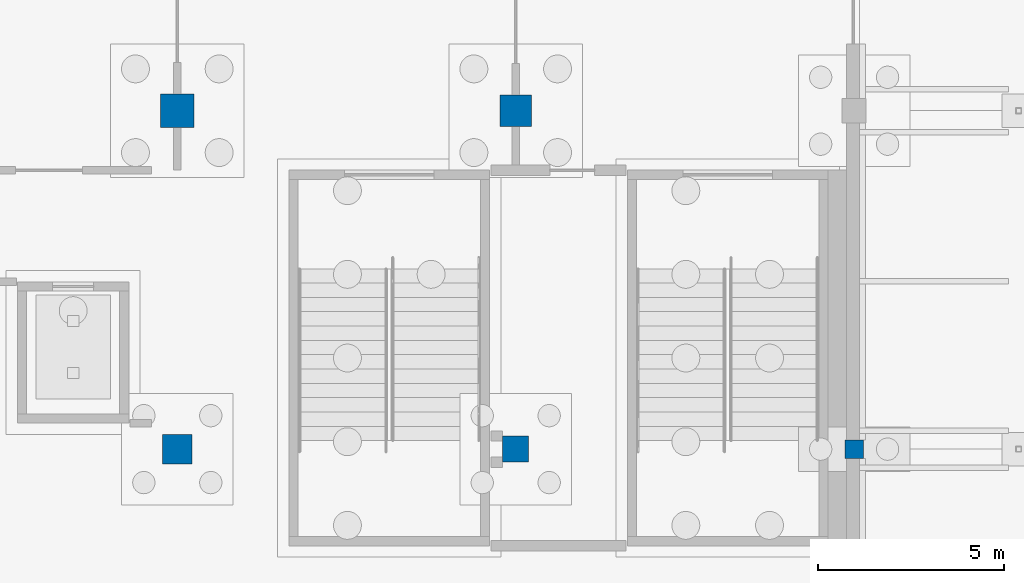
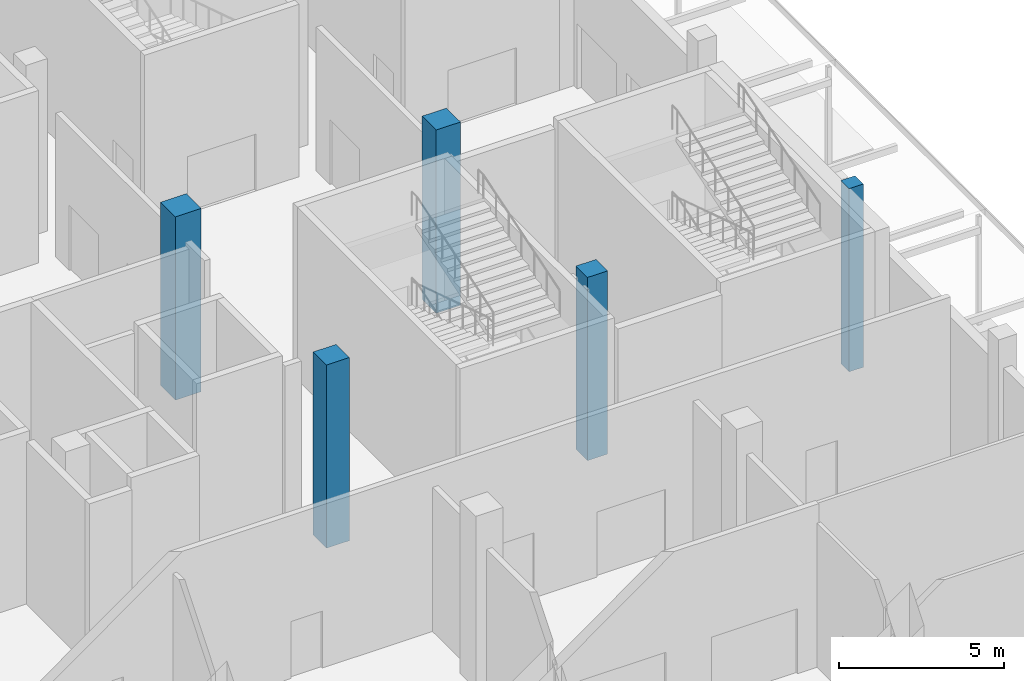
# One storey, part 44 of 129: 5 columns.
"""IFC4 building model written with IfcOpenShell, lengths in metres."""

from ifc_helpers import new_model, si_unit, direction, frame, origin, origin_2d, place, context, subcontext, project, spatial, rectangle, extrude, material, material_profile, profile_set, type_object, element, save


model = new_model("IFC4")

# Units and contexts
model_context = context("Model", 3, precision=1e-05, world=origin(), true_north=direction((0.0, 1.0)))
body_context = subcontext(model_context, "Body", "Model", "MODEL_VIEW")
ifc_project = project(units=[si_unit("LENGTHUNIT", "METRE"), si_unit("AREAUNIT", "SQUARE_METRE"), si_unit("VOLUMEUNIT", "CUBIC_METRE"), si_unit("PLANEANGLEUNIT", "RADIAN"), si_unit("MASSUNIT", "GRAM", prefix="KILO")], contexts=[model_context])

# Site, building, storey
site_placement = place(None, origin())
site = spatial("IfcSite", under=ifc_project, at=site_placement, CompositionType="ELEMENT")
building_placement = place(site_placement, origin())
building = spatial("IfcBuilding", under=site, at=building_placement, Name="Shirokan Park Arena", CompositionType="ELEMENT")
storey_placement = place(building_placement, origin())
storey = spatial("IfcBuildingStorey", under=building, at=storey_placement, Name="L00", CompositionType="ELEMENT", Elevation=0.0)

# Columns
ifc_material = material(Name="Concrete C35", Category="concrete")
ifc_material_profile_1 = material_profile(ifc_material, rectangle(XDim=0.5, YDim=0.5, at=origin_2d()), Name="500x500")
ifc_profile_set_1 = profile_set([ifc_material_profile_1], Name="Concrete C35")
column_type_1 = type_object("IfcColumnType", Name="RC column 500x500", PredefinedType="COLUMN", material=ifc_profile_set_1)
column_1_placement = place(storey_placement, frame((145.60009765625, 81.89990234375, -0.39990234375), z_axis=(0.0, 0.0, 1.0), x_axis=(1.0, 0.0, 0.0)))
element("IfcColumn", 1, at=column_1_placement, inside=storey, type_object=column_type_1, Name="Column 17K L00", PredefinedType="COLUMN", context=body_context, shape_type="SweptSolid", body=[
    extrude(rectangle(XDim=0.5, YDim=0.5, at=origin_2d()), origin(), (0.0, 0.0, 1.0), 6.77001953125),
])
ifc_material_profile_2 = material_profile(ifc_material, rectangle(XDim=0.699951171875, YDim=0.699951171875, at=origin_2d()), Name="700x700")
ifc_profile_set_2 = profile_set([ifc_material_profile_2], Name="Concrete C35")
column_type_2 = type_object("IfcColumnType", Name="RC column 700x700", PredefinedType="COLUMN", material=ifc_profile_set_2)
column_2_placement = place(storey_placement, frame((136.5, 81.89990234375, -0.39990234375), z_axis=(0.0, 0.0, 1.0), x_axis=(1.0, 0.0, 0.0)))
element("IfcColumn", 2, at=column_2_placement, inside=storey, type_object=column_type_2, Name="Column 16K L00", PredefinedType="COLUMN", context=body_context, shape_type="SweptSolid", body=[
    extrude(rectangle(XDim=0.699951171875, YDim=0.699951171875, at=origin_2d()), origin(), (0.0, 0.0, 1.0), 6.77001953125),
])
ifc_material_profile_3 = material_profile(ifc_material, rectangle(XDim=0.800048828125, YDim=0.800048828125, at=origin_2d()), Name="800x800")
ifc_profile_set_3 = profile_set([ifc_material_profile_3], Name="Concrete C35")
column_type_3 = type_object("IfcColumnType", Name="RC column 800x800", PredefinedType="COLUMN", material=ifc_profile_set_3)
column_3_placement = place(storey_placement, frame((127.39990234375, 81.89990234375, -0.39990234375), z_axis=(0.0, 0.0, 1.0), x_axis=(1.0, 0.0, 0.0)))
element("IfcColumn", 3, at=column_3_placement, inside=storey, type_object=column_type_3, Name="Column 15K L00", PredefinedType="COLUMN", context=body_context, shape_type="SweptSolid", body=[
    extrude(rectangle(XDim=0.800048828125, YDim=0.800048828125, at=origin_2d()), origin(), (0.0, 0.0, 1.0), 6.77001953125),
])
ifc_material_profile_4 = material_profile(ifc_material, rectangle(XDim=0.85009765625, YDim=0.85009765625, at=origin_2d()), Name="850x850")
ifc_profile_set_4 = profile_set([ifc_material_profile_4], Name="Concrete C35")
column_type_4 = type_object("IfcColumnType", Name="RC column 850x850", PredefinedType="COLUMN", material=ifc_profile_set_4)
column_4_placement = place(storey_placement, frame((136.5, 91.0, -0.39990234375), z_axis=(0.0, 0.0, 1.0), x_axis=(1.0, 0.0, 0.0)))
element("IfcColumn", 4, at=column_4_placement, inside=storey, type_object=column_type_4, Name="Column 16L L00", PredefinedType="COLUMN", context=body_context, shape_type="SweptSolid", body=[
    extrude(rectangle(XDim=0.85009765625, YDim=0.85009765625, at=origin_2d()), origin(), (0.0, 0.0, 1.0), 6.77001953125),
])
ifc_material_profile_5 = material_profile(ifc_material, rectangle(XDim=0.89990234375, YDim=0.89990234375, at=origin_2d()), Name="900x900")
ifc_profile_set_5 = profile_set([ifc_material_profile_5], Name="Concrete C35")
column_type_5 = type_object("IfcColumnType", Name="RC column 900x900", PredefinedType="COLUMN", material=ifc_profile_set_5)
column_5_placement = place(storey_placement, frame((127.39990234375, 91.0, -0.39990234375), z_axis=(0.0, 0.0, 1.0), x_axis=(1.0, 0.0, 0.0)))
element("IfcColumn", 5, at=column_5_placement, inside=storey, type_object=column_type_5, Name="Column 15L L00", PredefinedType="COLUMN", context=body_context, shape_type="SweptSolid", body=[
    extrude(rectangle(XDim=0.89990234375, YDim=0.89990234375, at=origin_2d()), origin(), (0.0, 0.0, 1.0), 6.77001953125),
])

save(model, "model.ifc")
